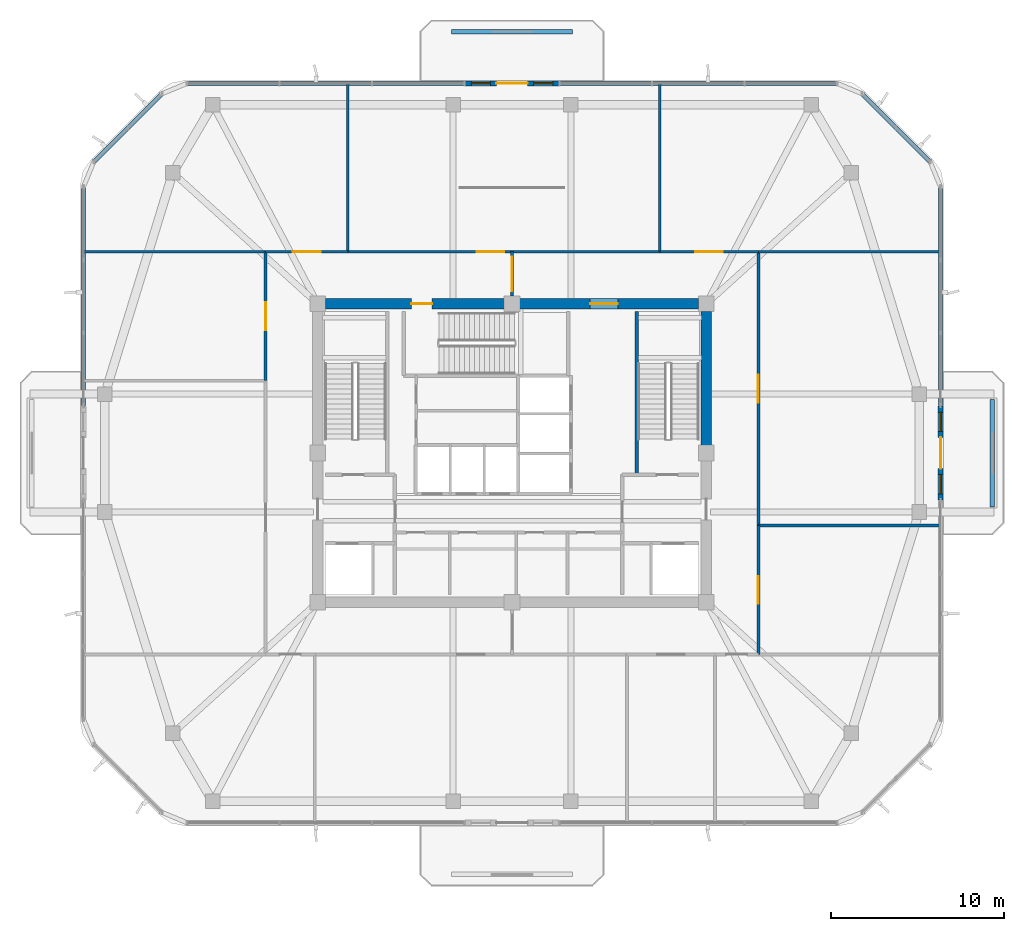
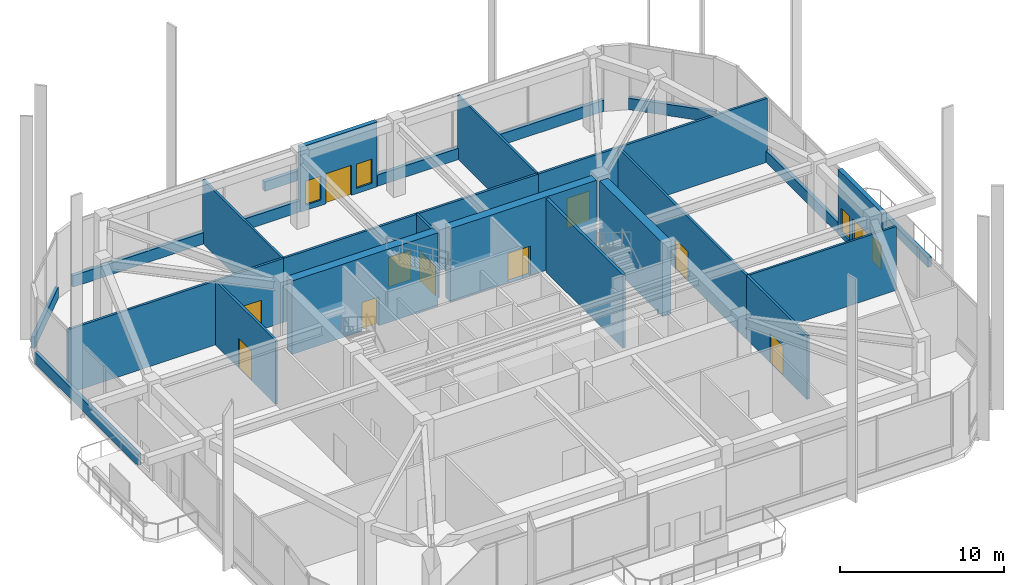
# One storey, part 9 of 14: 26 walls, 11 doors, 4 windows, 15 openings.
"""IFC4 building model written with IfcOpenShell, lengths in metres."""

from ifc_helpers import new_model, si_unit, derived_unit, direction, frame, frame_2d, origin, place, context, subcontext, project, spatial, rectangle, extrude, material, layer, layer_set, type_object, element, fill, save


model = new_model("IFC4")

# Units and contexts
model_context = context("Model", 3, precision=1e-05, world=origin(), true_north=direction((0.0, 1.0)))
body_context = subcontext(model_context, "Body", "Model", "MODEL_VIEW")
ifc_project = project(units=[si_unit("LENGTHUNIT", "METRE"), si_unit("AREAUNIT", "SQUARE_METRE"), si_unit("VOLUMEUNIT", "CUBIC_METRE"), si_unit("PLANEANGLEUNIT", "RADIAN"), si_unit("MASSUNIT", "GRAM", prefix="KILO"), derived_unit("THERMALTRANSMITTANCEUNIT", [(si_unit("POWERUNIT", "WATT"), 1), (si_unit("LENGTHUNIT", "METRE"), -2), (si_unit("THERMODYNAMICTEMPERATUREUNIT", "KELVIN"), -1)])], contexts=[model_context])

# Site, building, storey
site_placement = place(None, origin())
site = spatial("IfcSite", under=ifc_project, at=site_placement, CompositionType="ELEMENT")
building_placement = place(site_placement, origin())
building = spatial("IfcBuilding", under=site, at=building_placement, Name="Koralith Skygarden Medical Center", CompositionType="ELEMENT")
storey_placement = place(building_placement, frame((0.0, 0.0, 237.06005859375)))
storey = spatial("IfcBuildingStorey", under=building, at=storey_placement, Name="L61", CompositionType="ELEMENT", Elevation=237.06005859375)

# Walls
ifc_material_1 = material(Name="Gypsum Board Partition")
ifc_layer_1 = layer(ifc_material_1, 0.14990234375)
ifc_layer_set_1 = layer_set([ifc_layer_1], Name="Gypsum Board Partition")
wall_type_1 = type_object("IfcWallType", Name="Clinical Acoustic Partition 150", PredefinedType="PARTITIONING", material=ifc_layer_set_1)
for number, where, z_axis, x_axis, name in (
    (1, (27.528076171875, 37.510009765625, 0.0), (0.0, 0.0, 1.0), (0.0, 1.0, 0.0), "L61 Clinical Acoustic Partition 150 W-AMPART-L61-N-1"),
    (2, (45.52490234375, 37.510009765625, 0.0), (0.0, 0.0, 1.0), (0.0, 1.0, 0.0), "L61 Clinical Acoustic Partition 150 W-AMPART-L61-N-2"),
):
    element("IfcWall", number, at=place(storey_placement, frame(where, z_axis=z_axis, x_axis=x_axis)), inside=storey, type_object=wall_type_1, Name=name, PredefinedType="PARTITIONING", context=body_context, shape_type="SweptSolid", body=[
        extrude(rectangle(XDim=9.68994140625, YDim=0.14990234375, at=frame_2d((4.844970703125, 0.0))), origin(), (0.0, 0.0, 1.0), 4.77001953125),
    ])
wall_1_placement = place(storey_placement, frame((51.2099609375, 21.719970703125, 0.0), z_axis=(0.0, 0.0, 1.0), x_axis=(1.0, 0.0, 0.0)))
element("IfcWall", 3, at=wall_1_placement, inside=storey, type_object=wall_type_1, Name="L61 Clinical Acoustic Partition 150 W-AMPART-L61-E-1", PredefinedType="PARTITIONING", context=body_context, shape_type="SweptSolid", body=[
    extrude(rectangle(XDim=10.489990234375, YDim=0.14990234375, at=frame_2d((5.2451171875, 0.0))), origin(), (0.0, 0.0, 1.0), 4.77001953125),
])
ifc_layer_2 = layer(ifc_material_1, 0.1650390625)
ifc_layer_set_2 = layer_set([ifc_layer_2], Name="Gypsum Board Partition")
wall_type_2 = type_object("IfcWallType", Name="Clinical Corridor Partition 165", PredefinedType="PARTITIONING", material=ifc_layer_set_2)
for number, where, z_axis, x_axis, name in (
    (4, (12.300048828125, 37.510009765625, 0.0), (0.0, 0.0, 1.0), (1.0, 0.0, 0.0), "L61 Clinical Corridor Partition 165 W-WB-L61-NW"),
    (5, (51.2099609375, 37.510009765625, 0.0), (0.0, 0.0, 1.0), (1.0, 0.0, 0.0), "L61 Clinical Corridor Partition 165 W-WB-L61-NE"),
):
    element("IfcWall", number, at=place(storey_placement, frame(where, z_axis=z_axis, x_axis=x_axis)), inside=storey, type_object=wall_type_2, Name=name, PredefinedType="PARTITIONING", context=body_context, shape_type="SweptSolid", body=[
        extrude(rectangle(XDim=10.489990234375, YDim=0.1650390625, at=frame_2d((5.2451171875, 0.0))), origin(), (0.0, 0.0, 1.0), 4.77001953125),
    ])

# Wall, opening, door
wall_2_placement = place(storey_placement, frame((22.7900390625, 37.510009765625, 0.0), z_axis=(0.0, 0.0, 1.0), x_axis=(1.0, 0.0, 0.0)))
wall_2 = element("IfcWall", 6, at=wall_2_placement, inside=storey, type_object=wall_type_2, Name="L61 Clinical Corridor Partition 165 W-AMCOR-L61-N-1", PredefinedType="PARTITIONING", context=body_context, shape_type="SweptSolid", body=[
    extrude(rectangle(XDim=4.738037109375, YDim=0.1650390625, at=frame_2d((2.369140625, 0.0))), origin(), (0.0, 0.0, 1.0), 4.77001953125),
])
opening_1_placement = place(wall_2_placement, frame((1.569091796875, 0.0, 0.0)))
opening_1 = element("IfcOpeningElement", 7, at=opening_1_placement, cuts=wall_2, Name="Opening D-DBL", PredefinedType="OPENING", context=body_context, shape_type="SweptSolid", body=[
    extrude(rectangle(XDim=1.60009765625, YDim=2.199951171875, at=frame_2d((0.800048828125, 1.10009765625))), frame((0.0, 0.092529296875, 0.0), z_axis=(0.0, -1.0, 0.0), x_axis=(1.0, 0.0, 0.0)), (0.0, 0.0, 1.0), 0.18505859375),
])
ifc_material_2 = material(Name="Aluminium 6063-T6", Category="aluminium")
door_type_1 = type_object("IfcDoorType", Name="Double Clinical Suite Door D-DBL 1600", OperationType="NOTDEFINED", PredefinedType="DOOR", material=ifc_material_2)
door_1_placement = place(opening_1_placement, origin())
door_1 = element("IfcDoor", 8, at=door_1_placement, inside=storey, type_object=door_type_1, Name="L61 High-Rise Sky-Lobby Reception Hall Door", OperationType="DOUBLE_DOOR_SINGLE_SWING", OverallHeight=2.199951171875, OverallWidth=1.60009765625, PredefinedType="DOOR", context=body_context, shape_type="SweptSolid", body=[
    extrude(rectangle(XDim=1.60009765625, YDim=2.199951171875, at=frame_2d((0.800048828125, 1.10009765625))), frame((0.0, 0.02490234375, 0.0), z_axis=(0.0, -1.0, 0.0), x_axis=(1.0, 0.0, 0.0)), (0.0, 0.0, 1.0), 0.050048828125),
])
fill(opening_1, door_1)

wall_3_placement = place(storey_placement, frame((27.528076171875, 37.510009765625, 0.0), z_axis=(0.0, 0.0, 1.0), x_axis=(1.0, 0.0, 0.0)))
wall_3 = element("IfcWall", 9, at=wall_3_placement, inside=storey, type_object=wall_type_2, Name="L61 Clinical Corridor Partition 165 W-AMCOR-L61-N-2", PredefinedType="PARTITIONING", context=body_context, shape_type="SweptSolid", body=[
    extrude(rectangle(XDim=17.996826171875, YDim=0.1650390625, at=frame_2d((8.99853515625, 0.0))), origin(), (0.0, 0.0, 1.0), 4.77001953125),
])
opening_2_placement = place(wall_3_placement, frame((7.43798828125, 0.0, 0.0)))
opening_2 = element("IfcOpeningElement", 10, at=opening_2_placement, cuts=wall_3, Name="Opening D-DBL", PredefinedType="OPENING", context=body_context, shape_type="SweptSolid", body=[
    extrude(rectangle(XDim=1.60009765625, YDim=2.199951171875, at=frame_2d((0.800048828125, 1.10009765625))), frame((0.0, 0.092529296875, 0.0), z_axis=(0.0, -1.0, 0.0), x_axis=(1.0, 0.0, 0.0)), (0.0, 0.0, 1.0), 0.18505859375),
])
door_2_placement = place(opening_2_placement, origin())
door_2 = element("IfcDoor", 11, at=door_2_placement, inside=storey, type_object=door_type_1, Name="L61 High-Rise Biophilic Sky-Garden Lounge Door", OperationType="DOUBLE_DOOR_SINGLE_SWING", OverallHeight=2.199951171875, OverallWidth=1.60009765625, PredefinedType="DOOR", context=body_context, shape_type="SweptSolid", body=[
    extrude(rectangle(XDim=1.60009765625, YDim=2.199951171875, at=frame_2d((0.800048828125, 1.10009765625))), frame((0.0, 0.02490234375, 0.0), z_axis=(0.0, -1.0, 0.0), x_axis=(1.0, 0.0, 0.0)), (0.0, 0.0, 1.0), 0.050048828125),
])
fill(opening_2, door_2)

wall_4_placement = place(storey_placement, frame((45.52490234375, 37.510009765625, 0.0), z_axis=(0.0, 0.0, 1.0), x_axis=(1.0, 0.0, 0.0)))
wall_4 = element("IfcWall", 12, at=wall_4_placement, inside=storey, type_object=wall_type_2, Name="L61 Clinical Corridor Partition 165 W-AMCOR-L61-N-3", PredefinedType="PARTITIONING", context=body_context, shape_type="SweptSolid", body=[
    extrude(rectangle(XDim=5.68505859375, YDim=0.1650390625, at=frame_2d((2.842529296875, 0.0))), origin(), (0.0, 0.0, 1.0), 4.77001953125),
])
opening_3_placement = place(wall_4_placement, frame((2.04296875, 0.0, 0.0)))
opening_3 = element("IfcOpeningElement", 13, at=opening_3_placement, cuts=wall_4, Name="Opening D-DBL", PredefinedType="OPENING", context=body_context, shape_type="SweptSolid", body=[
    extrude(rectangle(XDim=1.60009765625, YDim=2.199951171875, at=frame_2d((0.800048828125, 1.10009765625))), frame((0.0, 0.092529296875, 0.0), z_axis=(0.0, -1.0, 0.0), x_axis=(1.0, 0.0, 0.0)), (0.0, 0.0, 1.0), 0.18505859375),
])
door_3_placement = place(opening_3_placement, origin())
door_3 = element("IfcDoor", 14, at=door_3_placement, inside=storey, type_object=door_type_1, Name="L61 Hospital Cafe and Servery Door", OperationType="DOUBLE_DOOR_SINGLE_SWING", OverallHeight=2.199951171875, OverallWidth=1.60009765625, PredefinedType="DOOR", context=body_context, shape_type="SweptSolid", body=[
    extrude(rectangle(XDim=1.60009765625, YDim=2.199951171875, at=frame_2d((0.800048828125, 1.10009765625))), frame((0.0, 0.02490234375, 0.0), z_axis=(0.0, -1.0, 0.0), x_axis=(1.0, 0.0, 0.0)), (0.0, 0.0, 1.0), 0.050048828125),
])
fill(opening_3, door_3)

wall_5_placement = place(storey_placement, frame((22.7900390625, 30.080078125, 0.0), z_axis=(0.0, 0.0, 1.0), x_axis=(0.0, 1.0, 0.0)))
wall_5 = element("IfcWall", 15, at=wall_5_placement, inside=storey, type_object=wall_type_2, Name="L61 Clinical Corridor Partition 165 W-AMCOR-L61-W-2", PredefinedType="PARTITIONING", context=body_context, shape_type="SweptSolid", body=[
    extrude(rectangle(XDim=7.429931640625, YDim=0.1650390625, at=frame_2d((3.71484375, 0.0))), origin(), (0.0, 0.0, 1.0), 4.77001953125),
])
opening_4_placement = place(wall_5_placement, frame((2.9150390625, 0.0, 0.0)))
opening_4 = element("IfcOpeningElement", 16, at=opening_4_placement, cuts=wall_5, Name="Opening D-DBL", PredefinedType="OPENING", context=body_context, shape_type="SweptSolid", body=[
    extrude(rectangle(XDim=1.60009765625, YDim=2.199951171875, at=frame_2d((0.800048828125, 1.10009765625))), frame((0.0, 0.092529296875, 0.0), z_axis=(0.0, -1.0, 0.0), x_axis=(1.0, 0.0, 0.0)), (0.0, 0.0, 1.0), 0.18505859375),
])
door_4_placement = place(opening_4_placement, frame((1.60009765625, 0.0, 0.0), z_axis=(0.0, 0.0, 1.0), x_axis=(-1.0, 0.0, 0.0)))
door_4 = element("IfcDoor", 17, at=door_4_placement, inside=storey, type_object=door_type_1, Name="L61 Public Accessible Restroom WC Door", OperationType="DOUBLE_DOOR_SINGLE_SWING", OverallHeight=2.199951171875, OverallWidth=1.60009765625, PredefinedType="DOOR", context=body_context, shape_type="SweptSolid", body=[
    extrude(rectangle(XDim=1.60009765625, YDim=2.199951171875, at=frame_2d((0.800048828125, 1.10009765625))), frame((0.0, 0.02490234375, 0.0), z_axis=(0.0, -1.0, 0.0), x_axis=(1.0, 0.0, 0.0)), (0.0, 0.0, 1.0), 0.050048828125),
])
fill(opening_4, door_4)

wall_6_placement = place(storey_placement, frame((51.2099609375, 14.2900390625, 0.0), z_axis=(0.0, 0.0, 1.0), x_axis=(0.0, 1.0, 0.0)))
wall_6 = element("IfcWall", 18, at=wall_6_placement, inside=storey, type_object=wall_type_2, Name="L61 Clinical Corridor Partition 165 W-AMCOR-L61-E-1", PredefinedType="PARTITIONING", context=body_context, shape_type="SweptSolid", body=[
    extrude(rectangle(XDim=7.429931640625, YDim=0.1650390625, at=frame_2d((3.71484375, 0.0))), origin(), (0.0, 0.0, 1.0), 4.77001953125),
])
opening_5_placement = place(wall_6_placement, frame((2.9150390625, 0.0, 0.0)))
opening_5 = element("IfcOpeningElement", 19, at=opening_5_placement, cuts=wall_6, Name="Opening D-DBL", PredefinedType="OPENING", context=body_context, shape_type="SweptSolid", body=[
    extrude(rectangle(XDim=1.60009765625, YDim=2.199951171875, at=frame_2d((0.800048828125, 1.10009765625))), frame((0.0, 0.092529296875, 0.0), z_axis=(0.0, -1.0, 0.0), x_axis=(1.0, 0.0, 0.0)), (0.0, 0.0, 1.0), 0.18505859375),
])
door_5_placement = place(opening_5_placement, origin())
door_5 = element("IfcDoor", 20, at=door_5_placement, inside=storey, type_object=door_type_1, Name="L61 Clinical Trials Seminar Room Door", OperationType="DOUBLE_DOOR_SINGLE_SWING", OverallHeight=2.199951171875, OverallWidth=1.60009765625, PredefinedType="DOOR", context=body_context, shape_type="SweptSolid", body=[
    extrude(rectangle(XDim=1.60009765625, YDim=2.199951171875, at=frame_2d((0.800048828125, 1.10009765625))), frame((0.0, 0.02490234375, 0.0), z_axis=(0.0, -1.0, 0.0), x_axis=(1.0, 0.0, 0.0)), (0.0, 0.0, 1.0), 0.050048828125),
])
fill(opening_5, door_5)

wall_7_placement = place(storey_placement, frame((51.2099609375, 21.719970703125, 0.0), z_axis=(0.0, 0.0, 1.0), x_axis=(0.0, 1.0, 0.0)))
wall_7 = element("IfcWall", 21, at=wall_7_placement, inside=storey, type_object=wall_type_2, Name="L61 Clinical Corridor Partition 165 W-AMCOR-L61-E-2", PredefinedType="PARTITIONING", context=body_context, shape_type="SweptSolid", body=[
    extrude(rectangle(XDim=15.7900390625, YDim=0.1650390625, at=frame_2d((7.89501953125, 0.0))), origin(), (0.0, 0.0, 1.0), 4.77001953125),
])
opening_6_placement = place(wall_7_placement, frame((7.094970703125, 0.0, 0.0)))
opening_6 = element("IfcOpeningElement", 22, at=opening_6_placement, cuts=wall_7, Name="Opening D-DBL", PredefinedType="OPENING", context=body_context, shape_type="SweptSolid", body=[
    extrude(rectangle(XDim=1.60009765625, YDim=2.199951171875, at=frame_2d((0.800048828125, 1.10009765625))), frame((0.0, 0.092529296875, 0.0), z_axis=(0.0, -1.0, 0.0), x_axis=(1.0, 0.0, 0.0)), (0.0, 0.0, 1.0), 0.18505859375),
])
door_6_placement = place(opening_6_placement, origin())
door_6 = element("IfcDoor", 23, at=door_6_placement, inside=storey, type_object=door_type_1, Name="L61 East Sky-Garden Verandah Lounge Door", OperationType="DOUBLE_DOOR_SINGLE_SWING", OverallHeight=2.199951171875, OverallWidth=1.60009765625, PredefinedType="DOOR", context=body_context, shape_type="SweptSolid", body=[
    extrude(rectangle(XDim=1.60009765625, YDim=2.199951171875, at=frame_2d((0.800048828125, 1.10009765625))), frame((0.0, 0.02490234375, 0.0), z_axis=(0.0, -1.0, 0.0), x_axis=(1.0, 0.0, 0.0)), (0.0, 0.0, 1.0), 0.050048828125),
])
fill(opening_6, door_6)

ifc_layer_3 = layer(ifc_material_1, 0.179931640625)
ifc_layer_set_3 = layer_set([ifc_layer_3], Name="Gypsum Board Partition")
wall_type_3 = type_object("IfcWallType", Name="Group I-2 Smoke Barrier Wall 180", PredefinedType="PARTITIONING", material=ifc_layer_set_3)
wall_8_placement = place(storey_placement, frame((37.0, 34.949951171875, 0.0), z_axis=(0.0, 0.0, 1.0), x_axis=(0.0, 1.0, 0.0)))
wall_8 = element("IfcWall", 24, at=wall_8_placement, inside=storey, type_object=wall_type_3, Name="L61 Group I-2 Smoke Barrier Wall 180 W-SMK-L61-N", PredefinedType="PARTITIONING", context=body_context, shape_type="SweptSolid", body=[
    extrude(rectangle(XDim=2.56005859375, YDim=0.179931640625, at=frame_2d((1.280029296875, 0.0))), origin(), (0.0, 0.0, 1.0), 4.77001953125),
])
opening_7_placement = place(wall_8_placement, frame((0.280029296875, 0.0, 0.0)))
opening_7 = element("IfcOpeningElement", 25, at=opening_7_placement, cuts=wall_8, Name="Opening D-SMK", PredefinedType="OPENING", context=body_context, shape_type="SweptSolid", body=[
    extrude(rectangle(XDim=2.0, YDim=2.199951171875, at=frame_2d((1.0, 1.10009765625))), frame((0.0, 0.099853515625, 0.0), z_axis=(0.0, -1.0, 0.0), x_axis=(1.0, 0.0, 0.0)), (0.0, 0.0, 1.0), 0.199951171875),
])
ifc_material_3 = material(Name="Steel ASTM A500 Grade C", Category="steel")
door_type_2 = type_object("IfcDoorType", Name="Cross-Corridor Double Smoke Door FD60S 2000", OperationType="NOTDEFINED", PredefinedType="DOOR", material=ifc_material_3)
door_7_placement = place(opening_7_placement, origin())
door_7 = element("IfcDoor", 26, at=door_7_placement, inside=storey, type_object=door_type_2, Name="L61 N Smoke Compartment Cross-Corridor Door", OperationType="DOUBLE_DOOR_SINGLE_SWING", OverallHeight=2.199951171875, OverallWidth=2.0, PredefinedType="DOOR", context=body_context, shape_type="SweptSolid", body=[
    extrude(rectangle(XDim=2.0, YDim=2.199951171875, at=frame_2d((1.0, 1.10009765625))), frame((0.0, 0.02490234375, 0.0), z_axis=(0.0, -1.0, 0.0), x_axis=(1.0, 0.0, 0.0)), (0.0, 0.0, 1.0), 0.050048828125),
])
fill(opening_7, door_7)

# Walls
ifc_material_4 = material(Name="Warm Oolitic Limestone Cladding", Category="masonry")
ifc_layer_4 = layer(ifc_material_4, 0.239990234375)
ifc_layer_set_4 = layer_set([ifc_layer_4], Name="Warm Oolitic Limestone Cladding")
wall_type_4 = type_object("IfcWallType", Name="Limestone Spandrel Sill Backup Wall 240", PredefinedType="SOLIDWALL", material=ifc_layer_set_4)
wall_9_placement = place(storey_placement, frame((61.719970703125, 28.639892578125, 0.0), z_axis=(0.0, 0.0, 1.0), x_axis=(0.0, 1.0, 0.0)))
element("IfcWall", 27, at=wall_9_placement, inside=storey, type_object=wall_type_4, Name="L61 Sill Spandrel E-R", PredefinedType="SOLIDWALL", context=body_context, shape_type="SweptSolid", body=[
    extrude(rectangle(XDim=12.605224609375, YDim=0.239990234375, at=frame_2d((6.302734375, 0.0))), origin(), (0.0, 0.0, 1.0), 0.849853515625),
])
wall_10_placement = place(storey_placement, frame((61.118896484375, 42.696044921875, 0.0), z_axis=(0.0, 0.0, 1.0), x_axis=(-0.707106781187, 0.707106781187, 0.0)))
element("IfcWall", 28, at=wall_10_placement, inside=storey, type_object=wall_type_4, Name="L61 Sill Spandrel NE", PredefinedType="SOLIDWALL", context=body_context, shape_type="SweptSolid", body=[
    extrude(rectangle(XDim=5.5478515625, YDim=0.239990234375, at=frame_2d((2.77392578125, 0.0))), origin(), (0.0, 0.0, 1.0), 0.849853515625),
])
wall_11_placement = place(storey_placement, frame((55.7451171875, 47.219970703125, 0.0), z_axis=(0.0, 0.0, 1.0), x_axis=(-1.0, 0.0, 0.0)))
element("IfcWall", 29, at=wall_11_placement, inside=storey, type_object=wall_type_4, Name="L61 Sill Spandrel N-L", PredefinedType="SOLIDWALL", context=body_context, shape_type="SweptSolid", body=[
    extrude(rectangle(XDim=16.004150390625, YDim=0.239990234375, at=frame_2d((8.001953125, 0.0))), origin(), (0.0, 0.0, 1.0), 0.849853515625),
])
wall_12_placement = place(storey_placement, frame((34.260986328125, 47.219970703125, 0.0), z_axis=(0.0, 0.0, 1.0), x_axis=(-1.0, 0.0, 0.0)))
element("IfcWall", 30, at=wall_12_placement, inside=storey, type_object=wall_type_4, Name="L61 Sill Spandrel N-R", PredefinedType="SOLIDWALL", context=body_context, shape_type="SweptSolid", body=[
    extrude(rectangle(XDim=16.006103515625, YDim=0.239990234375, at=frame_2d((8.0029296875, 0.0))), origin(), (0.0, 0.0, 1.0), 0.849853515625),
])
wall_13_placement = place(storey_placement, frame((16.803955078125, 46.618896484375, 0.0), z_axis=(0.0, 0.0, 1.0), x_axis=(-0.707106781187, -0.707106781187, 0.0)))
element("IfcWall", 31, at=wall_13_placement, inside=storey, type_object=wall_type_4, Name="L61 Sill Spandrel NW", PredefinedType="SOLIDWALL", context=body_context, shape_type="SweptSolid", body=[
    extrude(rectangle(XDim=5.5478515625, YDim=0.239990234375, at=frame_2d((2.77392578125, 0.0))), origin(), (0.0, 0.0, 1.0), 0.849853515625),
])
wall_14_placement = place(storey_placement, frame((12.280029296875, 41.2451171875, 0.0), z_axis=(0.0, 0.0, 1.0), x_axis=(0.0, -1.0, 0.0)))
element("IfcWall", 32, at=wall_14_placement, inside=storey, type_object=wall_type_4, Name="L61 Sill Spandrel W-L", PredefinedType="SOLIDWALL", context=body_context, shape_type="SweptSolid", body=[
    extrude(rectangle(XDim=12.605224609375, YDim=0.239990234375, at=frame_2d((6.302734375, 0.0))), origin(), (0.0, 0.0, 1.0), 0.849853515625),
])

# Wall, openings, door, windows
ifc_layer_5 = layer(ifc_material_4, 0.300048828125)
ifc_layer_set_5 = layer_set([ifc_layer_5], Name="Warm Oolitic Limestone Cladding")
wall_type_5 = type_object("IfcWallType", Name="Oolitic Limestone Insulated Facade Wall 300", PredefinedType="SOLIDWALL", material=ifc_layer_set_5)
wall_15_placement = place(storey_placement, frame((61.719970703125, 23.199951171875, 0.0), z_axis=(0.0, 0.0, 1.0), x_axis=(0.0, 1.0, 0.0)))
wall_15 = element("IfcWall", 33, at=wall_15_placement, inside=storey, type_object=wall_type_5, Name="L61 Terrace Portal Wall E", PredefinedType="SOLIDWALL", context=body_context, shape_type="SweptSolid", body=[
    extrude(rectangle(XDim=5.400146484375, YDim=0.300048828125, at=frame_2d((2.7001953125, 0.0))), origin(), (0.0, 0.0, 1.0), 4.849853515625),
])
opening_8_placement = place(wall_15_placement, frame((1.800048828125, 0.0, 0.0)))
opening_8 = element("IfcOpeningElement", 34, at=opening_8_placement, cuts=wall_15, Name="Opening D-SG", PredefinedType="OPENING", context=body_context, shape_type="SweptSolid", body=[
    extrude(rectangle(XDim=1.800048828125, YDim=2.25, at=frame_2d((0.89990234375, 1.125))), frame((0.0, 0.159912109375, 0.0), z_axis=(0.0, -1.0, 0.0), x_axis=(1.0, 0.0, 0.0)), (0.0, 0.0, 1.0), 0.320068359375),
])
opening_9_placement = place(wall_15_placement, frame((0.35009765625, 0.0, 0.39990234375)))
opening_9 = element("IfcOpeningElement", 35, at=opening_9_placement, cuts=wall_15, Name="Opening W-04", PredefinedType="OPENING", context=body_context, shape_type="SweptSolid", body=[
    extrude(rectangle(XDim=1.10009765625, YDim=1.800048828125, at=frame_2d((0.550048828125, 0.89990234375))), frame((0.0, 0.159912109375, 0.0), z_axis=(0.0, -1.0, 0.0), x_axis=(1.0, 0.0, 0.0)), (0.0, 0.0, 1.0), 0.320068359375),
])
opening_10_placement = place(wall_15_placement, frame((3.949951171875, 0.0, 0.39990234375)))
opening_10 = element("IfcOpeningElement", 36, at=opening_10_placement, cuts=wall_15, Name="Opening W-04", PredefinedType="OPENING", context=body_context, shape_type="SweptSolid", body=[
    extrude(rectangle(XDim=1.10009765625, YDim=1.800048828125, at=frame_2d((0.550048828125, 0.89990234375))), frame((0.0, 0.159912109375, 0.0), z_axis=(0.0, -1.0, 0.0), x_axis=(1.0, 0.0, 0.0)), (0.0, 0.0, 1.0), 0.320068359375),
])
door_type_3 = type_object("IfcDoorType", Name="Sky-Garden Double Terrace Door D-SG 1800", OperationType="NOTDEFINED", PredefinedType="DOOR", material=ifc_material_2)
door_8_placement = place(opening_8_placement, origin())
door_8 = element("IfcDoor", 37, at=door_8_placement, inside=storey, type_object=door_type_3, Name="L61 E Outdoor Terrace Access Door", OperationType="DOUBLE_DOOR_SINGLE_SWING", OverallHeight=2.25, OverallWidth=1.800048828125, PredefinedType="DOOR", context=body_context, shape_type="SweptSolid", body=[
    extrude(rectangle(XDim=1.800048828125, YDim=2.25, at=frame_2d((0.89990234375, 1.125))), frame((0.0, 0.02490234375, 0.0), z_axis=(0.0, -1.0, 0.0), x_axis=(1.0, 0.0, 0.0)), (0.0, 0.0, 1.0), 0.050048828125),
])
fill(opening_8, door_8)
ifc_material_5 = material(Name="Clear Laminated Glass", Category="glass")
window_type = type_object("IfcWindowType", Name="Sky-Garden Portal Sidelight Window W-04 1100x1800", PartitioningType="SINGLE_PANEL", PredefinedType="WINDOW", material=ifc_material_5)
window_1_placement = place(opening_9_placement, origin())
window_1 = element("IfcWindow", 38, at=window_1_placement, inside=storey, type_object=window_type, Name="L61 E Portal Sidelight 1", OverallHeight=1.800048828125, OverallWidth=1.10009765625, PartitioningType="SINGLE_PANEL", PredefinedType="WINDOW", context=body_context, shape_type="SweptSolid", body=[
    extrude(rectangle(XDim=1.10009765625, YDim=1.800048828125, at=frame_2d((0.550048828125, 0.89990234375))), frame((0.0, 0.030029296875, 0.0), z_axis=(0.0, -1.0, 0.0), x_axis=(1.0, 0.0, 0.0)), (0.0, 0.0, 1.0), 0.06005859375),
])
fill(opening_9, window_1)
window_2_placement = place(opening_10_placement, origin())
window_2 = element("IfcWindow", 39, at=window_2_placement, inside=storey, type_object=window_type, Name="L61 E Portal Sidelight 2", OverallHeight=1.800048828125, OverallWidth=1.10009765625, PartitioningType="SINGLE_PANEL", PredefinedType="WINDOW", context=body_context, shape_type="SweptSolid", body=[
    extrude(rectangle(XDim=1.10009765625, YDim=1.800048828125, at=frame_2d((0.550048828125, 0.89990234375))), frame((0.0, 0.030029296875, 0.0), z_axis=(0.0, -1.0, 0.0), x_axis=(1.0, 0.0, 0.0)), (0.0, 0.0, 1.0), 0.06005859375),
])
fill(opening_10, window_2)

wall_16_placement = place(storey_placement, frame((39.700927734375, 47.219970703125, 0.0), z_axis=(0.0, 0.0, 1.0), x_axis=(-1.0, 0.0, 0.0)))
wall_16 = element("IfcWall", 40, at=wall_16_placement, inside=storey, type_object=wall_type_5, Name="L61 Terrace Portal Wall N", PredefinedType="SOLIDWALL", context=body_context, shape_type="SweptSolid", body=[
    extrude(rectangle(XDim=5.39990234375, YDim=0.300048828125, at=frame_2d((2.699951171875, 0.0))), origin(), (0.0, 0.0, 1.0), 4.849853515625),
])
opening_11_placement = place(wall_16_placement, frame((1.800048828125, 0.0, 0.0)))
opening_11 = element("IfcOpeningElement", 41, at=opening_11_placement, cuts=wall_16, Name="Opening D-SG", PredefinedType="OPENING", context=body_context, shape_type="SweptSolid", body=[
    extrude(rectangle(XDim=1.800048828125, YDim=2.25, at=frame_2d((0.89990234375, 1.125))), frame((0.0, 0.159912109375, 0.0), z_axis=(0.0, -1.0, 0.0), x_axis=(1.0, 0.0, 0.0)), (0.0, 0.0, 1.0), 0.320068359375),
])
opening_12_placement = place(wall_16_placement, frame((0.35009765625, 0.0, 0.39990234375)))
opening_12 = element("IfcOpeningElement", 42, at=opening_12_placement, cuts=wall_16, Name="Opening W-04", PredefinedType="OPENING", context=body_context, shape_type="SweptSolid", body=[
    extrude(rectangle(XDim=1.10009765625, YDim=1.800048828125, at=frame_2d((0.550048828125, 0.89990234375))), frame((0.0, 0.159912109375, 0.0), z_axis=(0.0, -1.0, 0.0), x_axis=(1.0, 0.0, 0.0)), (0.0, 0.0, 1.0), 0.320068359375),
])
opening_13_placement = place(wall_16_placement, frame((3.949951171875, 0.0, 0.39990234375)))
opening_13 = element("IfcOpeningElement", 43, at=opening_13_placement, cuts=wall_16, Name="Opening W-04", PredefinedType="OPENING", context=body_context, shape_type="SweptSolid", body=[
    extrude(rectangle(XDim=1.10009765625, YDim=1.800048828125, at=frame_2d((0.550048828125, 0.89990234375))), frame((0.0, 0.159912109375, 0.0), z_axis=(0.0, -1.0, 0.0), x_axis=(1.0, 0.0, 0.0)), (0.0, 0.0, 1.0), 0.320068359375),
])
door_9_placement = place(opening_11_placement, origin())
door_9 = element("IfcDoor", 44, at=door_9_placement, inside=storey, type_object=door_type_3, Name="L61 N Outdoor Terrace Access Door", OperationType="DOUBLE_DOOR_SINGLE_SWING", OverallHeight=2.25, OverallWidth=1.800048828125, PredefinedType="DOOR", context=body_context, shape_type="SweptSolid", body=[
    extrude(rectangle(XDim=1.800048828125, YDim=2.25, at=frame_2d((0.89990234375, 1.125))), frame((0.0, 0.02490234375, 0.0), z_axis=(0.0, -1.0, 0.0), x_axis=(1.0, 0.0, 0.0)), (0.0, 0.0, 1.0), 0.050048828125),
])
fill(opening_11, door_9)
window_3_placement = place(opening_12_placement, origin())
window_3 = element("IfcWindow", 45, at=window_3_placement, inside=storey, type_object=window_type, Name="L61 N Portal Sidelight 1", OverallHeight=1.800048828125, OverallWidth=1.10009765625, PartitioningType="SINGLE_PANEL", PredefinedType="WINDOW", context=body_context, shape_type="SweptSolid", body=[
    extrude(rectangle(XDim=1.10009765625, YDim=1.800048828125, at=frame_2d((0.550048828125, 0.89990234375))), frame((0.0, 0.030029296875, 0.0), z_axis=(0.0, -1.0, 0.0), x_axis=(1.0, 0.0, 0.0)), (0.0, 0.0, 1.0), 0.06005859375),
])
fill(opening_12, window_3)
window_4_placement = place(opening_13_placement, origin())
window_4 = element("IfcWindow", 46, at=window_4_placement, inside=storey, type_object=window_type, Name="L61 N Portal Sidelight 2", OverallHeight=1.800048828125, OverallWidth=1.10009765625, PartitioningType="SINGLE_PANEL", PredefinedType="WINDOW", context=body_context, shape_type="SweptSolid", body=[
    extrude(rectangle(XDim=1.10009765625, YDim=1.800048828125, at=frame_2d((0.550048828125, 0.89990234375))), frame((0.0, 0.030029296875, 0.0), z_axis=(0.0, -1.0, 0.0), x_axis=(1.0, 0.0, 0.0)), (0.0, 0.0, 1.0), 0.06005859375),
])
fill(opening_13, window_4)

# Walls
ifc_material_6 = material(Name="Precast concrete C40/50", Category="concrete")
ifc_layer_6 = layer(ifc_material_6, 0.25)
ifc_layer_set_6 = layer_set([ifc_layer_6], Name="Precast concrete C40/50")
wall_type_6 = type_object("IfcWallType", Name="Structural Concrete Balcony Planter Kerb 250", PredefinedType="PARAPET", material=ifc_layer_set_6)
wall_17_placement = place(storey_placement, frame((33.5, 50.199951171875, 0.0), z_axis=(0.0, 0.0, 1.0), x_axis=(1.0, 0.0, 0.0)))
element("IfcWall", 47, at=wall_17_placement, inside=storey, type_object=wall_type_6, Name="L61 N Structural Tree PLANTER Box", PredefinedType="PARAPET", context=body_context, shape_type="SweptSolid", body=[
    extrude(rectangle(XDim=7.0, YDim=0.25, at=frame_2d((3.5, 0.0))), origin(), (0.0, 0.0, 1.0), 0.719970703125),
])
wall_18_placement = place(storey_placement, frame((64.699951171875, 22.800048828125, 0.0), z_axis=(0.0, 0.0, 1.0), x_axis=(0.0, 1.0, 0.0)))
element("IfcWall", 48, at=wall_18_placement, inside=storey, type_object=wall_type_6, Name="L61 E Structural Tree PLANTER Box", PredefinedType="PARAPET", context=body_context, shape_type="SweptSolid", body=[
    extrude(rectangle(XDim=6.199951171875, YDim=0.25, at=frame_2d((3.10009765625, 0.0))), origin(), (0.0, 0.0, 1.0), 0.719970703125),
])
ifc_material_7 = material(Name="Concrete C45/55", Category="concrete")
ifc_layer_7 = layer(ifc_material_7, 0.199951171875)
ifc_layer_set_7 = layer_set([ifc_layer_7], Name="Concrete C45/55")
wall_type_7 = type_object("IfcWallType", Name="Structural Stair Shaft Wall 200", PredefinedType="SHEAR", material=ifc_layer_set_7)
wall_19_placement = place(storey_placement, frame((44.199951171875, 24.64990234375, 0.0), z_axis=(0.0, 0.0, 1.0), x_axis=(0.0, 1.0, 0.0)))
element("IfcWall", 49, at=wall_19_placement, inside=storey, type_object=wall_type_7, Name="L61 Structural Stair Shaft Wall 200 W-CORE-L61-ST2-W", PredefinedType="SHEAR", context=body_context, shape_type="SweptSolid", body=[
    extrude(rectangle(XDim=9.400146484375, YDim=0.199951171875, at=frame_2d((4.7001953125, 0.0))), origin(), (0.0, 0.0, 1.0), 5.47998046875),
])
ifc_material_8 = material(Name="Concrete C55/67", Category="concrete")
ifc_layer_8 = layer(ifc_material_8, 0.60009765625)
ifc_layer_set_8 = layer_set([ifc_layer_8], Name="Concrete C55/67")
wall_type_8 = type_object("IfcWallType", Name="Upper Core Shear Wall 600", PredefinedType="SHEAR", material=ifc_layer_set_8)
wall_20_placement = place(storey_placement, frame((48.199951171875, 26.344970703125, 0.0), z_axis=(0.0, 0.0, 1.0), x_axis=(0.0, 1.0, 0.0)))
element("IfcWall", 50, at=wall_20_placement, inside=storey, type_object=wall_type_8, Name="L61 Core Shear Wall Segment 4", PredefinedType="SHEAR", context=body_context, shape_type="SweptSolid", body=[
    extrude(rectangle(XDim=7.7099609375, YDim=0.60009765625, at=frame_2d((3.85498046875, 0.0))), origin(), (0.0, 0.0, 1.0), 5.47998046875),
])

# Wall, opening, door
wall_21_placement = place(storey_placement, frame((47.7548828125, 34.5, 0.0), z_axis=(0.0, 0.0, 1.0), x_axis=(-1.0, 0.0, 0.0)))
wall_21 = element("IfcWall", 51, at=wall_21_placement, inside=storey, type_object=wall_type_8, Name="L61 Core Shear Wall Segment 5", PredefinedType="SHEAR", context=body_context, shape_type="SweptSolid", body=[
    extrude(rectangle(XDim=10.309814453125, YDim=0.60009765625, at=frame_2d((5.15478515625, 0.0))), origin(), (0.0, 0.0, 1.0), 5.47998046875),
])
opening_14_placement = place(wall_21_placement, frame((4.655029296875, 0.0, 0.0)))
opening_14 = element("IfcOpeningElement", 52, at=opening_14_placement, cuts=wall_21, Name="Opening D-DBL", PredefinedType="OPENING", context=body_context, shape_type="SweptSolid", body=[
    extrude(rectangle(XDim=1.60009765625, YDim=2.199951171875, at=frame_2d((0.800048828125, 1.10009765625))), frame((0.0, 0.31005859375, 0.0), z_axis=(0.0, -1.0, 0.0), x_axis=(1.0, 0.0, 0.0)), (0.0, 0.0, 1.0), 0.6201171875),
])
door_10_placement = place(opening_14_placement, frame((1.60009765625, 0.0, 0.0), z_axis=(0.0, 0.0, 1.0), x_axis=(-1.0, 0.0, 0.0)))
door_10 = element("IfcDoor", 53, at=door_10_placement, inside=storey, type_object=door_type_1, Name="L61 North-East Corridor to Elevator Lobby Door", OperationType="DOUBLE_DOOR_SINGLE_SWING", OverallHeight=2.199951171875, OverallWidth=1.60009765625, PredefinedType="DOOR", context=body_context, shape_type="SweptSolid", body=[
    extrude(rectangle(XDim=1.60009765625, YDim=2.199951171875, at=frame_2d((0.800048828125, 1.10009765625))), frame((0.0, 0.02490234375, 0.0), z_axis=(0.0, -1.0, 0.0), x_axis=(1.0, 0.0, 0.0)), (0.0, 0.0, 1.0), 0.050048828125),
])
fill(opening_14, door_10)

wall_22_placement = place(storey_placement, frame((36.554931640625, 34.5, 0.0), z_axis=(0.0, 0.0, 1.0), x_axis=(-1.0, 0.0, 0.0)))
wall_22 = element("IfcWall", 54, at=wall_22_placement, inside=storey, type_object=wall_type_8, Name="L61 Core Shear Wall Segment 6", PredefinedType="SHEAR", context=body_context, shape_type="SweptSolid", body=[
    extrude(rectangle(XDim=10.309814453125, YDim=0.60009765625, at=frame_2d((5.15478515625, 0.0))), origin(), (0.0, 0.0, 1.0), 5.47998046875),
])
opening_15_placement = place(wall_22_placement, frame((4.155029296875, 0.0, 0.0)))
opening_15 = element("IfcOpeningElement", 55, at=opening_15_placement, cuts=wall_22, Name="Opening D-ST60", PredefinedType="OPENING", context=body_context, shape_type="SweptSolid", body=[
    extrude(rectangle(XDim=1.199951171875, YDim=2.14990234375, at=frame_2d((0.60009765625, 1.074951171875))), frame((0.0, 0.31005859375, 0.0), z_axis=(0.0, -1.0, 0.0), x_axis=(1.0, 0.0, 0.0)), (0.0, 0.0, 1.0), 0.6201171875),
])
door_type_4 = type_object("IfcDoorType", Name="Smokeproof Stair Fire Door FD60S 1200", OperationType="NOTDEFINED", PredefinedType="DOOR", material=ifc_material_3)
door_11_placement = place(opening_15_placement, frame((1.199951171875, 0.0, 0.0), z_axis=(0.0, 0.0, 1.0), x_axis=(-1.0, 0.0, 0.0)))
door_11 = element("IfcDoor", 56, at=door_11_placement, inside=storey, type_object=door_type_4, Name="L61 Exit Stair ST3 Fire Door", OperationType="SINGLE_SWING_LEFT", OverallHeight=2.14990234375, OverallWidth=1.199951171875, PredefinedType="DOOR", context=body_context, shape_type="SweptSolid", body=[
    extrude(rectangle(XDim=1.199951171875, YDim=2.14990234375, at=frame_2d((0.60009765625, 1.074951171875))), frame((0.0, 0.02490234375, 0.0), z_axis=(0.0, -1.0, 0.0), x_axis=(1.0, 0.0, 0.0)), (0.0, 0.0, 1.0), 0.050048828125),
])
fill(opening_15, door_11)

save(model, "model.ifc")
